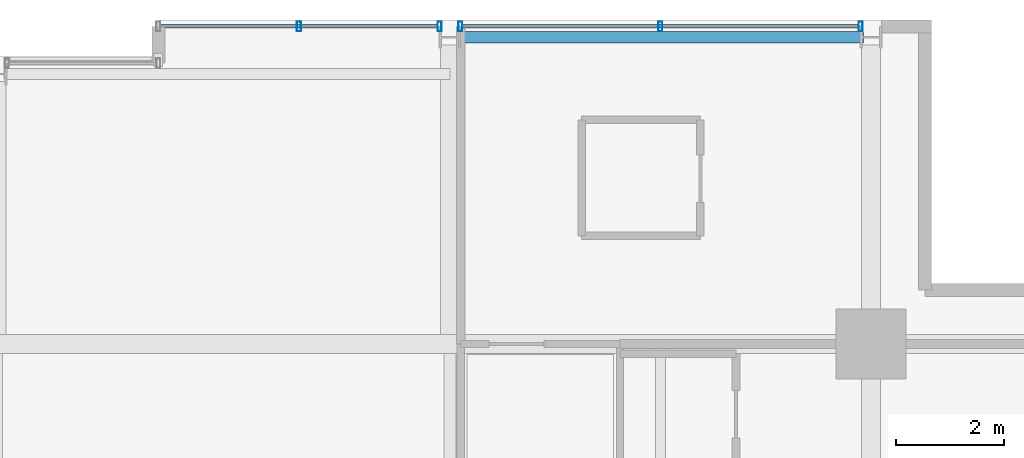
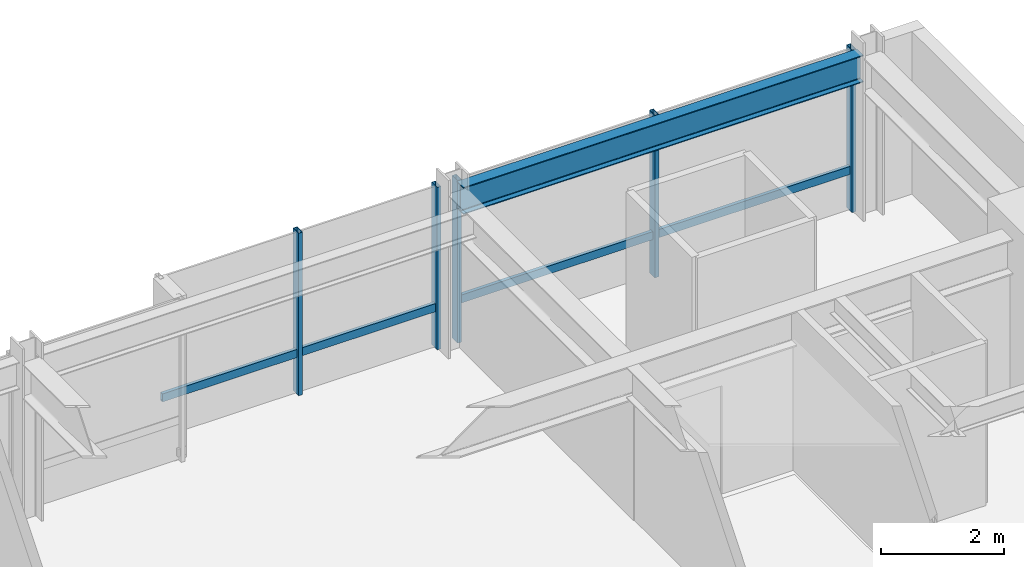
# One storey, part 24 of 33: 7 members, 1 beam, 2 elements without a shape of their own.
"""IFC4 building model written with IfcOpenShell, lengths in metres."""

from ifc_helpers import new_model, si_unit, direction, frame, origin, origin_2d, place, context, subcontext, project, spatial, hollow_rectangle, i_section, extrude, material, layer, layer_set, material_profile, profile_set, type_object, element, aggregate, save


model = new_model("IFC4")

# Units and contexts
model_context = context("Model", 3, precision=1e-05, world=origin(), true_north=direction((0.0, 1.0)))
body_context = subcontext(model_context, "Body", "Model", "MODEL_VIEW")
ifc_project = project(units=[si_unit("LENGTHUNIT", "METRE"), si_unit("AREAUNIT", "SQUARE_METRE"), si_unit("VOLUMEUNIT", "CUBIC_METRE"), si_unit("PLANEANGLEUNIT", "RADIAN"), si_unit("MASSUNIT", "GRAM", prefix="KILO")], contexts=[model_context])

# Site, building, storey
site_placement = place(None, origin())
site = spatial("IfcSite", under=ifc_project, at=site_placement, CompositionType="ELEMENT")
building_placement = place(site_placement, origin())
building = spatial("IfcBuilding", under=site, at=building_placement, Name="Drelvath Grand Hotel", CompositionType="ELEMENT")
storey_placement = place(building_placement, frame((0.0, 0.0, 196.550048828125)))
storey = spatial("IfcBuildingStorey", under=building, at=storey_placement, Name="L51", CompositionType="ELEMENT", Elevation=196.550048828125)

# Curtain wall, member
ifc_material_1 = material(Name="Brushed Pale-Silver Anodised Aluminium Frame", Category="aluminium")
ifc_layer = layer(ifc_material_1, 0.199951171875)
ifc_layer_set = layer_set([ifc_layer], Name="Brushed Pale-Silver Anodised Aluminium Frame")
curtain_wall_type = type_object("IfcCurtainWallType", Name="Stick Curtain Wall CW-04 Brushed Silver Upper-Mid", PredefinedType="NOTDEFINED", material=ifc_layer_set)
curtain_wall_1_placement = place(storey_placement, origin())
curtain_wall_1 = element("IfcCurtainWall", 1, at=curtain_wall_1_placement, inside=storey, type_object=curtain_wall_type, Name="L51 CW-04 Curtain Wall CW04-L51-NE1", PredefinedType="NOTDEFINED")
ifc_material_profile_1 = material_profile(ifc_material_1, hollow_rectangle(XDim=0.06494140625, YDim=0.159912109375, WallThickness=0.00390625, at=origin_2d()), Name="HSS160X65X4")
ifc_profile_set_1 = profile_set([ifc_material_profile_1], Name="Brushed Pale-Silver Anodised Aluminium Frame")
member_type_1 = type_object("IfcMemberType", Name="Curtain Wall Horizontal Transom CW-04 HSS160X65X4", PredefinedType="USERDEFINED", material=ifc_profile_set_1)
member_1_placement = place(storey_placement, frame((3.0400390625, 49.080078125, 0.807373046875), z_axis=(1.0, 0.0, 0.0), x_axis=(0.0, 1.0, 0.0)))
member_1 = element("IfcMember", 2, at=member_1_placement, type_object=member_type_1, Name="CW04-L51-NE1 Sill Transom", ObjectType="TRANSOM", PredefinedType="USERDEFINED", context=body_context, shape_type="SweptSolid", body=[
    extrude(hollow_rectangle(XDim=0.06494140625, YDim=0.159912109375, WallThickness=0.00390625, at=origin_2d()), origin(), (0.0, 0.0, 1.0), 5.128173828125),
])

curtain_wall_2_placement = place(storey_placement, origin())
curtain_wall_2 = element("IfcCurtainWall", 3, at=curtain_wall_2_placement, inside=storey, type_object=curtain_wall_type, Name="L51 CW-04 Curtain Wall CW04-L51-NE2", PredefinedType="NOTDEFINED")
member_2_placement = place(storey_placement, frame((8.631591796875, 49.080078125, 0.807373046875), z_axis=(1.0, 0.0, 0.0), x_axis=(0.0, 1.0, 0.0)))
member_2 = element("IfcMember", 4, at=member_2_placement, type_object=member_type_1, Name="CW04-L51-NE2 Sill Transom", ObjectType="TRANSOM", PredefinedType="USERDEFINED", context=body_context, shape_type="SweptSolid", body=[
    extrude(hollow_rectangle(XDim=0.06494140625, YDim=0.159912109375, WallThickness=0.00390625, at=origin_2d()), origin(), (0.0, 0.0, 1.0), 7.3369140625),
])

# Member
ifc_material_profile_2 = material_profile(ifc_material_1, hollow_rectangle(XDim=0.074951171875, YDim=0.179931640625, WallThickness=0.0048828125, at=origin_2d()), Name="HSS180X75X5")
ifc_profile_set_2 = profile_set([ifc_material_profile_2], Name="Brushed Pale-Silver Anodised Aluminium Frame")
member_type_2 = type_object("IfcMemberType", Name="Curtain Wall Vertical Mullion CW-04 HSS180X75X5", PredefinedType="MULLION", material=ifc_profile_set_2)
member_3_placement = place(storey_placement, frame((5.60400390625, 49.080078125, 0.0), z_axis=(0.0, 0.0, 1.0), x_axis=(1.0, 0.0, 0.0)))
member_3 = element("IfcMember", 5, at=member_3_placement, type_object=member_type_2, Name="CW04-L51-NE1 Mullion 2", PredefinedType="MULLION", context=body_context, shape_type="SweptSolid", body=[
    extrude(hollow_rectangle(XDim=0.074951171875, YDim=0.179931640625, WallThickness=0.0048828125, at=origin_2d()), origin(), (0.0, 0.0, 1.0), 3.22998046875),
])

member_4_placement = place(storey_placement, frame((8.208251953125, 49.080078125, 0.0), z_axis=(0.0, 0.0, 1.0), x_axis=(1.0, 0.0, 0.0)))
member_4 = element("IfcMember", 6, at=member_4_placement, type_object=member_type_2, Name="CW04-L51-NE1 Mullion 3", PredefinedType="MULLION", context=body_context, shape_type="SweptSolid", body=[
    extrude(hollow_rectangle(XDim=0.074951171875, YDim=0.179931640625, WallThickness=0.0048828125, at=origin_2d()), origin(), (0.0, 0.0, 1.0), 3.22998046875),
])

aggregate(curtain_wall_1, [member_3, member_4, member_1])

member_5_placement = place(storey_placement, frame((8.591796875, 49.080078125, 0.0), z_axis=(0.0, 0.0, 1.0), x_axis=(1.0, 0.0, 0.0)))
member_5 = element("IfcMember", 7, at=member_5_placement, type_object=member_type_2, Name="CW04-L51-NE2 Mullion 1", PredefinedType="MULLION", context=body_context, shape_type="SweptSolid", body=[
    extrude(hollow_rectangle(XDim=0.074951171875, YDim=0.179931640625, WallThickness=0.0048828125, at=origin_2d()), origin(), (0.0, 0.0, 1.0), 3.22998046875),
])

member_6_placement = place(storey_placement, frame((12.300048828125, 49.080078125, 0.0), z_axis=(0.0, 0.0, 1.0), x_axis=(1.0, 0.0, 0.0)))
member_6 = element("IfcMember", 8, at=member_6_placement, type_object=member_type_2, Name="CW04-L51-NE2 Mullion 2", PredefinedType="MULLION", context=body_context, shape_type="SweptSolid", body=[
    extrude(hollow_rectangle(XDim=0.074951171875, YDim=0.179931640625, WallThickness=0.0048828125, at=origin_2d()), origin(), (0.0, 0.0, 1.0), 3.22998046875),
])

member_7_placement = place(storey_placement, frame((16.00830078125, 49.080078125, 0.0), z_axis=(0.0, 0.0, 1.0), x_axis=(1.0, 0.0, 0.0)))
member_7 = element("IfcMember", 9, at=member_7_placement, type_object=member_type_2, Name="CW04-L51-NE2 Mullion 3", PredefinedType="MULLION", context=body_context, shape_type="SweptSolid", body=[
    extrude(hollow_rectangle(XDim=0.074951171875, YDim=0.179931640625, WallThickness=0.0048828125, at=origin_2d()), origin(), (0.0, 0.0, 1.0), 3.22998046875),
])

aggregate(curtain_wall_2, [member_5, member_6, member_7, member_2])

# Beam
ifc_material_2 = material(Name="Steel ASTM A992 Gr 50", Category="steel")
ifc_material_profile_3 = material_profile(ifc_material_2, i_section(OverallWidth=0.210205078125, OverallDepth=0.53662109375, WebThickness=0.010986328125, FlangeThickness=0.017333984375, FilletRadius=0.01806640625, at=origin_2d()), Name="W21X68")
ifc_profile_set_3 = profile_set([ifc_material_profile_3], Name="Steel ASTM A992 Gr 50")
beam_type = type_object("IfcBeamType", Name="Perimeter Spandrel Beam W21X68", PredefinedType="SPANDREL", material=ifc_profile_set_3)
beam_placement = place(storey_placement, frame((8.5400390625, 48.8798828125, 2.961669921875), z_axis=(1.0, 0.0, 0.0), x_axis=(0.0, 1.0, 0.0)))
element("IfcBeam", 10, at=beam_placement, inside=storey, type_object=beam_type, Name="L51 Spandrel North E", PredefinedType="SPANDREL", context=body_context, shape_type="SweptSolid", body=[
    extrude(i_section(OverallWidth=0.210205078125, OverallDepth=0.53662109375, WebThickness=0.010986328125, FlangeThickness=0.017333984375, FilletRadius=0.01806640625, at=origin_2d()), origin(), (0.0, 0.0, 1.0), 7.52001953125),
])

save(model, "model.ifc")
